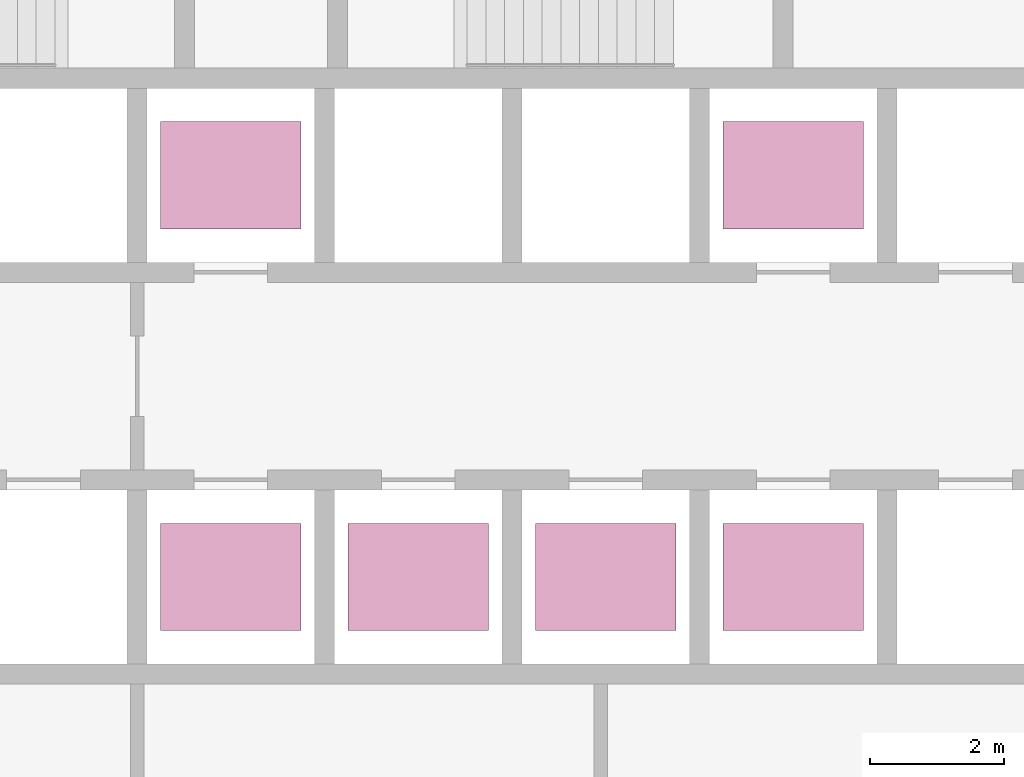
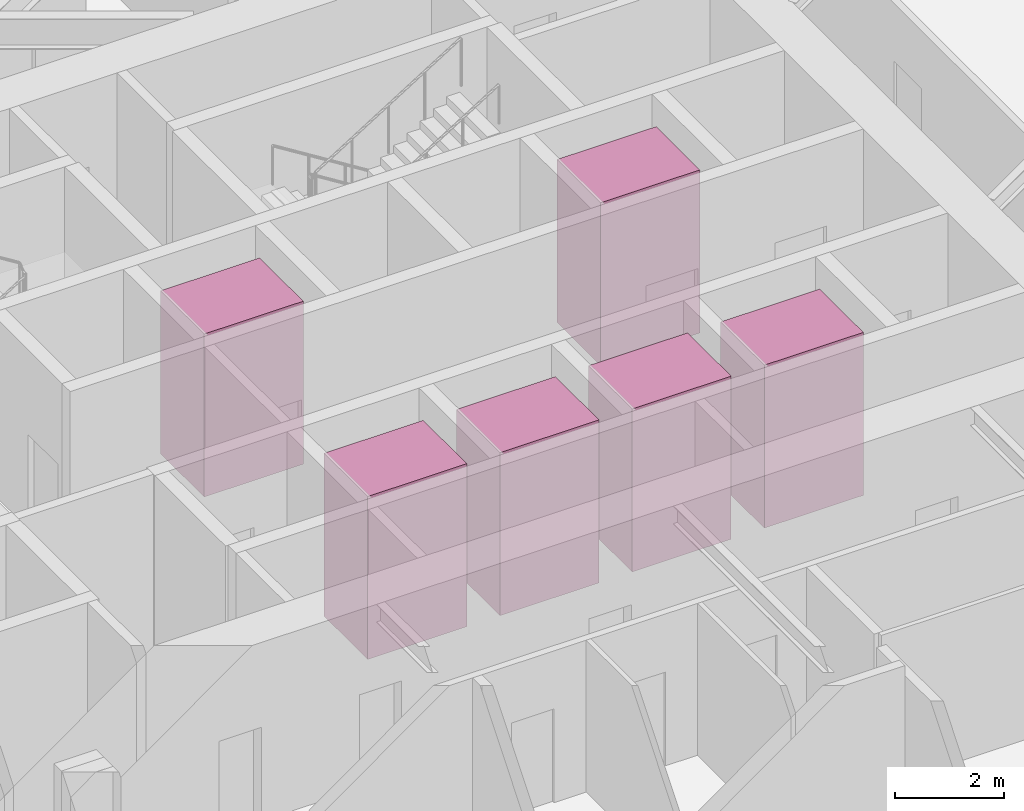
# One storey, part 28 of 29: 6 transport elements.
"""IFC4 building model written with IfcOpenShell, lengths in metres."""

import ifcopenshell
import ifcopenshell.guid

model = None  # the IFC model being written
_history = None  # IfcOwnerHistory: only IFC2X3 demands one
_inside = {}  # id of a spatial element -> (the spatial element, [elements in it])
_under = {}  # id of a project, library or spatial element -> (it, [spatial elements below it])
_declared = {}  # id of a project -> (the project, [libraries it declares])
_typed = {}  # id of a type object -> (the type object, [elements of that type])
_made_of = {}  # id of a material, layer set ... -> (it, [elements and type objects made of it])


def new_model(schema):
    """Start an empty IFC model of exactly this schema.

    Asked for "IFC4X3", IfcOpenShell would pick the latest addendum, in which some entities
    have other attributes; the version numbers below select the first issue.
    IFC2X3 requires an IfcOwnerHistory on every rooted entity: one is made here for all.
    """
    global model, _history
    if schema == "IFC4X3":
        model = ifcopenshell.file(schema_version=(4, 3, 0, 0))
    else:
        model = ifcopenshell.file(schema=schema)
    _inside.clear()
    _under.clear()
    _declared.clear()
    _typed.clear()
    _made_of.clear()
    _history = None
    if model.schema == "IFC2X3":
        org = make("IfcOrganization", Name="unknown")
        user = make(
            "IfcPersonAndOrganization",
            ThePerson=make("IfcPerson", FamilyName="unknown"),
            TheOrganization=org,
        )
        app = make(
            "IfcApplication",
            ApplicationDeveloper=org,
            Version="unknown",
            ApplicationFullName="unknown",
            ApplicationIdentifier="unknown",
        )
        _history = make(
            "IfcOwnerHistory",
            OwningUser=user,
            OwningApplication=app,
            ChangeAction="ADDED",
            CreationDate=0,
        )
    return model


def make(cls, **values):
    """One entity of the class cls with the attributes given. An attribute that is None is left unset."""
    return model.create_entity(
        cls, **{name: value for name, value in values.items() if value is not None}
    )


def rooted(cls, **values):
    """An entity with a GlobalId (a new one), such as an element, a storey or a relation."""
    return make(cls, GlobalId=ifcopenshell.guid.new(), OwnerHistory=_history, **values)


def si_unit(unit_type, name, prefix=None):
    """IfcSIUnit, for example si_unit("LENGTHUNIT", "METRE", prefix="MILLI")."""
    return make("IfcSIUnit", UnitType=unit_type, Prefix=prefix, Name=name)


def assignment(units):
    """IfcUnitAssignment: the units of a project."""
    return None if units is None else make("IfcUnitAssignment", Units=units)


def point(xyz):
    """IfcCartesianPoint."""
    return None if xyz is None else make("IfcCartesianPoint", Coordinates=xyz)


def direction(xyz):
    """IfcDirection."""
    return None if xyz is None else make("IfcDirection", DirectionRatios=xyz)


def frame(location, z_axis=None, x_axis=None):
    """IfcAxis2Placement3D, a coordinate frame: its origin and axes. An axis left out is left unset."""
    return make(
        "IfcAxis2Placement3D",
        Location=point(location),
        Axis=direction(z_axis),
        RefDirection=direction(x_axis),
    )


def frame_2d(location, x_axis=None):
    """IfcAxis2Placement2D, a coordinate frame in the plane: its origin and x axis."""
    return make(
        "IfcAxis2Placement2D", Location=point(location), RefDirection=direction(x_axis)
    )


def origin():
    """The frame at (0, 0, 0) with its axes left unset."""
    return frame((0.0, 0.0, 0.0))


def origin_2d():
    """The frame at (0, 0) in the plane with its x axis left unset."""
    return frame_2d((0.0, 0.0))


def place(relative_to, where):
    """IfcLocalPlacement: puts the frame where relative to a parent placement (None: the world)."""
    return make(
        "IfcLocalPlacement", PlacementRelTo=relative_to, RelativePlacement=where
    )


def context(
    kind, dimensions, precision=None, world=None, true_north=None, identifier=None
):
    """IfcGeometricRepresentationContext, for example the 3D "Model" context."""
    return make(
        "IfcGeometricRepresentationContext",
        ContextIdentifier=identifier,
        ContextType=kind,
        CoordinateSpaceDimension=dimensions,
        Precision=precision,
        WorldCoordinateSystem=world,
        TrueNorth=true_north,
    )


def subcontext(parent, identifier, kind, view, scale=None):
    """IfcGeometricRepresentationSubContext, for example "Body" below "Model"."""
    return make(
        "IfcGeometricRepresentationSubContext",
        ContextIdentifier=identifier,
        ContextType=kind,
        ParentContext=parent,
        TargetScale=scale,
        TargetView=view,
    )


def project(units=None, contexts=None):
    """IfcProject with its units and contexts."""
    return rooted(
        "IfcProject",
        Name="project",
        RepresentationContexts=contexts,
        UnitsInContext=assignment(units),
    )


def spatial(cls, under=None, at=None, **own):
    """A site, building, storey or space (cls), placed at a placement, below another one or the project."""
    s = rooted(cls, ObjectPlacement=at, **own)
    if under is not None:
        _under.setdefault(under.id(), (under, []))[1].append(s)
    return s


def profile(cls, at=None, kind="AREA", **sizes):
    """A parametric profile (cls). Its sizes go by their IFC names, for example OverallWidth=200.0."""
    return make(cls, ProfileType=kind, Position=at, **sizes)


def rectangle(**sizes):
    """IfcRectangleProfileDef."""
    return profile("IfcRectangleProfileDef", **sizes)


def extrude(swept, where, along, depth):
    """IfcExtrudedAreaSolid: the profile swept, set in the frame where, extruded along a direction by depth."""
    return make(
        "IfcExtrudedAreaSolid",
        SweptArea=swept,
        Position=where,
        ExtrudedDirection=direction(along),
        Depth=depth,
    )


def shape(context_of_items, identifier, shape_type, items):
    """IfcShapeRepresentation: the items that make up one representation, for example the "Body"."""
    return make(
        "IfcShapeRepresentation",
        ContextOfItems=context_of_items,
        RepresentationIdentifier=identifier,
        RepresentationType=shape_type,
        Items=items,
    )


def material(Name=None, Category=None):
    """IfcMaterial."""
    return make("IfcMaterial", Name=Name, Category=Category)


def made_of(thing, what):
    """Note that an element or type object is made of a material, layer set ...; save() writes the relation."""
    if what is not None:
        _made_of.setdefault(what.id(), (what, []))[1].append(thing)
    return thing


def type_object(cls, material=None, **own):
    """A type object (cls), such as IfcWallType, which elements share."""
    return made_of(rooted(cls, **own), material)


def element(
    cls,
    number,
    at=None,
    inside=None,
    cuts=None,
    type_object=None,
    material=None,
    context=None,
    identifier="Body",
    shape_type=None,
    held_by="IfcProductDefinitionShape",
    body=None,
    shapes=None,
    **own,
):
    """One element of the class cls, such as IfcWall. Its Tag is "e" and its number.

    at: its placement. inside: the storey or other place that contains it. cuts: it is an
    opening in that element (IfcRelVoidsElement). A single representation is given by context,
    identifier, shape_type and body (its items); several are given by shapes. held_by: the class
    of the entity that holds the representations. save() writes the other relations.
    """
    e = rooted(cls, Tag="e%d" % number, ObjectPlacement=at, **own)
    if body is not None:
        shapes = [shape(context, identifier, shape_type, body)]
    if shapes is not None:
        e.Representation = make(held_by, Representations=shapes)
    if inside is not None:
        _inside.setdefault(inside.id(), (inside, []))[1].append(e)
    if cuts is not None:
        rooted(
            "IfcRelVoidsElement", RelatingBuildingElement=cuts, RelatedOpeningElement=e
        )
    if type_object is not None:
        _typed.setdefault(type_object.id(), (type_object, []))[1].append(e)
    return made_of(e, material)


def aggregate(whole, parts):
    """IfcRelAggregates: a whole, such as a stair, and the parts it consists of."""
    return rooted("IfcRelAggregates", RelatingObject=whole, RelatedObjects=parts)


def save(model, path):
    """Write the relations noted so far, then the file.

    IfcRelAggregates (storeys below a building ...), IfcRelContainedInSpatialStructure (elements
    in a storey), IfcRelDefinesByType, IfcRelAssociatesMaterial and IfcRelDeclares: one each for
    every whole, place, type object, material and project.
    """
    for whole, parts in _under.values():
        aggregate(whole, parts)
    for where, things in _inside.values():
        rooted(
            "IfcRelContainedInSpatialStructure",
            RelatedElements=things,
            RelatingStructure=where,
        )
    for kind, things in _typed.values():
        rooted("IfcRelDefinesByType", RelatedObjects=things, RelatingType=kind)
    for what, things in _made_of.values():
        rooted("IfcRelAssociatesMaterial", RelatedObjects=things, RelatingMaterial=what)
    for by, libraries in _declared.values():
        rooted("IfcRelDeclares", RelatingContext=by, RelatedDefinitions=libraries)
    model.write(path)


model = new_model("IFC4")

# Units and contexts
model_context = context("Model", 3, precision=1e-05, world=origin(), true_north=direction((0.0, 1.0)))
body_context = subcontext(model_context, "Body", "Model", "MODEL_VIEW")
ifc_project = project(units=[si_unit("LENGTHUNIT", "METRE"), si_unit("AREAUNIT", "SQUARE_METRE"), si_unit("VOLUMEUNIT", "CUBIC_METRE"), si_unit("PLANEANGLEUNIT", "RADIAN"), si_unit("MASSUNIT", "GRAM", prefix="KILO")], contexts=[model_context])

# Site, building, storey
site_placement = place(None, origin())
site = spatial("IfcSite", under=ifc_project, at=site_placement, CompositionType="ELEMENT")
building_placement = place(site_placement, origin())
building = spatial("IfcBuilding", under=site, at=building_placement, Name="Firuza Gate Tower and Library", CompositionType="ELEMENT")
storey_placement = place(building_placement, frame((0.0, 0.0, 82.0)))
storey = spatial("IfcBuildingStorey", under=building, at=storey_placement, Name="L18", CompositionType="ELEMENT", Elevation=82.0)

# Transport elements
ifc_material = material(Name="Stainless steel and glass", Category="steel")
transport_element_type = type_object("IfcTransportElementType", Name="Low-rise lift car 2100x1600", PredefinedType="ELEVATOR", material=ifc_material)
for number, where, z_axis, x_axis, name in (
    (1, (74.64990234375, 70.300048828125, 0.0), (0.0, 0.0, 1.0), (1.0, 0.0, 0.0), "Low-rise lift LR1"),
    (2, (77.449951171875, 70.300048828125, 0.0), (0.0, 0.0, 1.0), (1.0, 0.0, 0.0), "Low-rise lift LR2"),
    (3, (80.25, 70.300048828125, 0.0), (0.0, 0.0, 1.0), (1.0, 0.0, 0.0), "Low-rise lift LR3"),
    (4, (74.64990234375, 76.300048828125, 0.0), (0.0, 0.0, 1.0), (1.0, 0.0, 0.0), "Low-rise lift LR4"),
    (5, (83.050048828125, 70.300048828125, 0.0), (0.0, 0.0, 1.0), (1.0, 0.0, 0.0), "Low-rise lift LR5"),
    (6, (83.050048828125, 76.300048828125, 0.0), (0.0, 0.0, 1.0), (1.0, 0.0, 0.0), "Low-rise lift LR6"),
):
    element("IfcTransportElement", number, at=place(storey_placement, frame(where, z_axis=z_axis, x_axis=x_axis)), inside=storey, type_object=transport_element_type, Name=name, PredefinedType="ELEVATOR", context=body_context, shape_type="SweptSolid", body=[
        extrude(rectangle(XDim=2.10009765625, YDim=1.60009765625, at=origin_2d()), origin(), (0.0, 0.0, 1.0), 3.64990234375),
    ])

save(model, "model.ifc")
